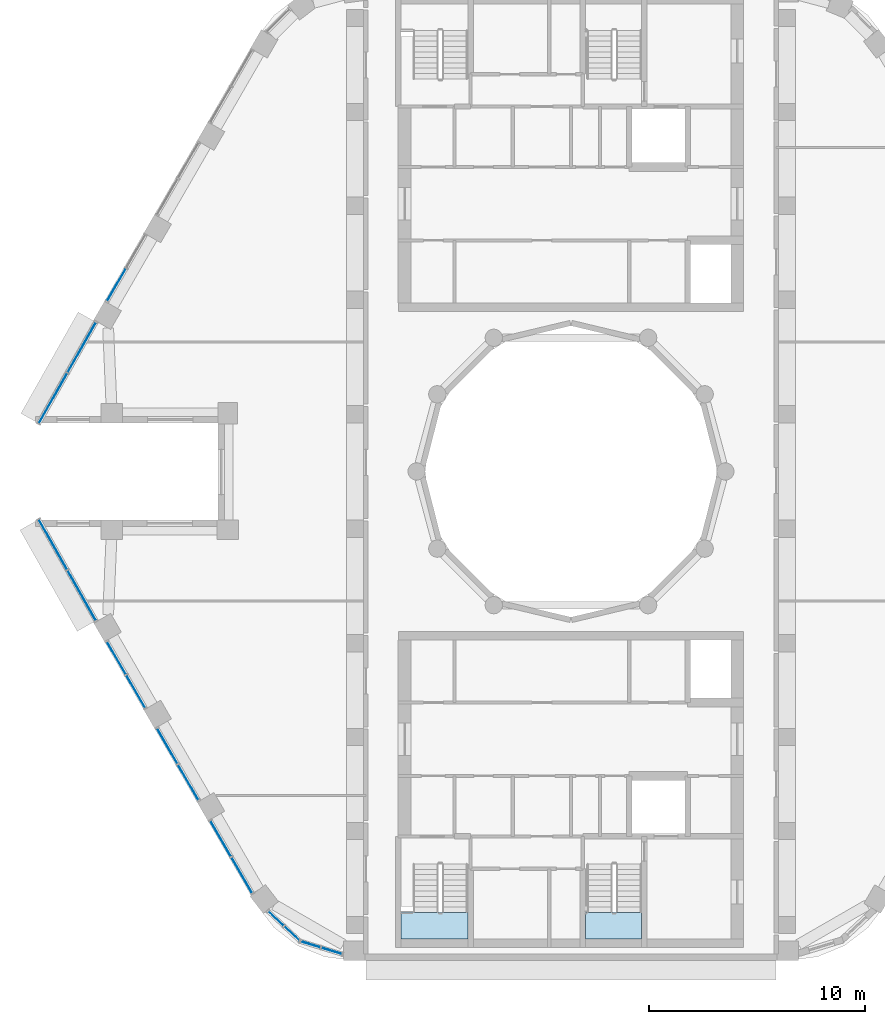
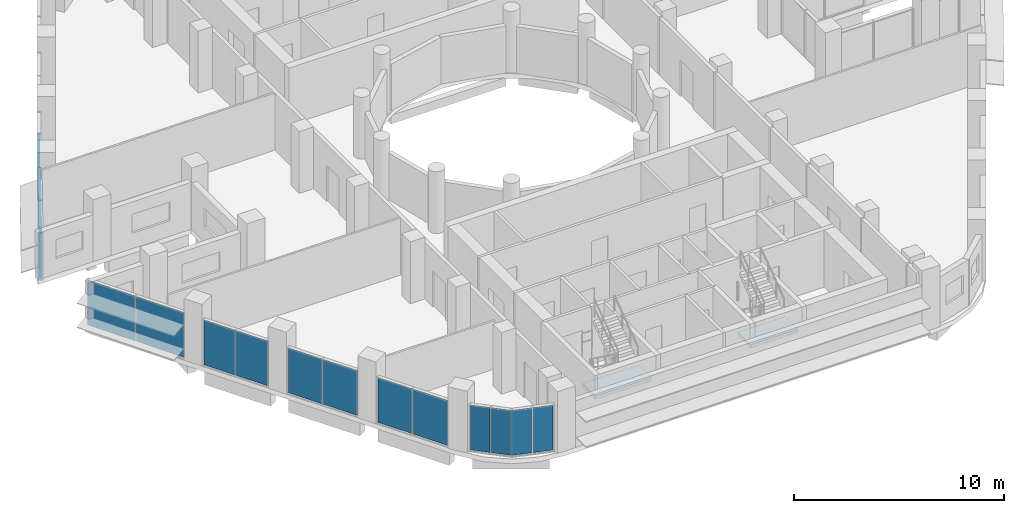
# One storey, part 8 of 16: 15 plates, 2 slabs, 10 elements without a shape of their own.
"""IFC4 building model written with IfcOpenShell, lengths in metres."""

from ifc_helpers import new_model, si_unit, direction, frame, origin, origin_2d, place, context, subcontext, project, spatial, polyline, rectangle, outline, extrude, material, layer, layer_set, type_object, element, aggregate, save


model = new_model("IFC4")

# Units and contexts
model_context = context("Model", 3, precision=1e-05, world=origin(), true_north=direction((0.0, 1.0)))
body_context = subcontext(model_context, "Body", "Model", "MODEL_VIEW")
ifc_project = project(units=[si_unit("LENGTHUNIT", "METRE"), si_unit("AREAUNIT", "SQUARE_METRE"), si_unit("VOLUMEUNIT", "CUBIC_METRE"), si_unit("PLANEANGLEUNIT", "RADIAN"), si_unit("MASSUNIT", "GRAM", prefix="KILO")], contexts=[model_context])

# Site, building, storey
site_placement = place(None, origin())
site = spatial("IfcSite", under=ifc_project, at=site_placement, CompositionType="ELEMENT")
building_placement = place(site_placement, origin())
building = spatial("IfcBuilding", under=site, at=building_placement, Name="Nakaniwa Court", CompositionType="ELEMENT")
storey_placement = place(building_placement, frame((0.0, 0.0, 272.39990234375)))
storey = spatial("IfcBuildingStorey", under=building, at=storey_placement, Name="C01", CompositionType="ELEMENT", Elevation=272.39990234375)

# Curtain wall, plate
ifc_material_1 = material(Name="Black anodised aluminium frame with dark low-E laminated double glazing", Category="aluminium")
ifc_layer_1 = layer(ifc_material_1, 0.199951171875)
ifc_layer_set_1 = layer_set([ifc_layer_1], Name="Black anodised aluminium frame with dark low-E laminated double glazing")
curtain_wall_type = type_object("IfcCurtainWallType", Name="Crown curtain wall", PredefinedType="NOTDEFINED", material=ifc_layer_set_1)
curtain_wall_1_placement = place(storey_placement, origin())
curtain_wall_1 = element("IfcCurtainWall", 1, at=curtain_wall_1_placement, inside=storey, type_object=curtain_wall_type, Name="C01 curtain wall CW4 13", PredefinedType="NOTDEFINED")
ifc_material_2 = material(Name="Dark toughened glass", Category="glass")
ifc_layer_2 = layer(ifc_material_2, 0.007, Name="Outer pane")
ifc_material_3 = material(Name="Argon filled cavity")
ifc_layer_3 = layer(ifc_material_3, 0.016, Name="Cavity")
ifc_material_4 = material(Name="Dark laminated safety glass", Category="glass")
ifc_layer_4 = layer(ifc_material_4, 0.007, Name="Inner pane")
ifc_layer_set_2 = layer_set([ifc_layer_2, ifc_layer_3, ifc_layer_4], Name="Dark low-E laminated double glazing")
plate_type = type_object("IfcPlateType", Name="Crown curtain wall glass panel", PredefinedType="CURTAIN_PANEL", material=ifc_layer_set_2)
plate_1_placement = place(storey_placement, frame((58.949951171875, 88.640380859375, 0.05517578125), z_axis=(0.0, 0.0, 1.0), x_axis=(-0.49998749164, -0.866032625369, 0.0)))
plate_1 = element("IfcPlate", 2, at=plate_1_placement, type_object=plate_type, Name="CW4 panel 2.1", PredefinedType="CURTAIN_PANEL", context=body_context, shape_type="SweptSolid", body=[
    extrude(rectangle(XDim=1.72607421875, YDim=0.030029296875, at=origin_2d()), origin(), (0.0, 0.0, 1.0), 2.614990234375),
])
aggregate(curtain_wall_1, [plate_1])

# Curtain wall, plates
curtain_wall_2_placement = place(storey_placement, origin())
curtain_wall_2 = element("IfcCurtainWall", 3, at=curtain_wall_2_placement, inside=storey, type_object=curtain_wall_type, Name="C01 curtain wall CW4 14", PredefinedType="NOTDEFINED")
plate_2_placement = place(storey_placement, frame((57.3466796875, 85.74609375, 0.05517578125), z_axis=(0.0, 0.0, 1.0), x_axis=(-0.492176765953, -0.870495279169, 0.0)))
plate_2 = element("IfcPlate", 4, at=plate_2_placement, type_object=plate_type, Name="CW4 panel 1.1", PredefinedType="CURTAIN_PANEL", context=body_context, shape_type="SweptSolid", body=[
    extrude(rectangle(XDim=2.645751953125, YDim=0.030029296875, at=origin_2d()), origin(), (0.0, 0.0, 1.0), 2.614990234375),
])
plate_3_placement = place(storey_placement, frame((56.012451171875, 83.38623046875, 0.05517578125), z_axis=(0.0, 0.0, 1.0), x_axis=(-0.492176765953, -0.870495279169, 0.0)))
plate_3 = element("IfcPlate", 5, at=plate_3_placement, type_object=plate_type, Name="CW4 panel 2.1", PredefinedType="CURTAIN_PANEL", context=body_context, shape_type="SweptSolid", body=[
    extrude(rectangle(XDim=2.645751953125, YDim=0.030029296875, at=origin_2d()), origin(), (0.0, 0.0, 1.0), 2.614990234375),
])
aggregate(curtain_wall_2, [plate_2, plate_3])

curtain_wall_3_placement = place(storey_placement, origin())
curtain_wall_3 = element("IfcCurtainWall", 6, at=curtain_wall_3_placement, inside=storey, type_object=curtain_wall_type, Name="C01 curtain wall CW4 20", PredefinedType="NOTDEFINED")
plate_4_placement = place(storey_placement, frame((56.012451171875, 76.61376953125, 0.05517578125), z_axis=(0.0, 0.0, 1.0), x_axis=(0.492176765953, -0.870495279169, 0.0)))
plate_4 = element("IfcPlate", 7, at=plate_4_placement, type_object=plate_type, Name="CW4 panel 1.1", PredefinedType="CURTAIN_PANEL", context=body_context, shape_type="SweptSolid", body=[
    extrude(rectangle(XDim=2.645751953125, YDim=0.030029296875, at=origin_2d()), origin(), (0.0, 0.0, 1.0), 2.614990234375),
])
plate_5_placement = place(storey_placement, frame((57.3466796875, 74.25390625, 0.05517578125), z_axis=(0.0, 0.0, 1.0), x_axis=(0.492176765953, -0.870495279169, 0.0)))
plate_5 = element("IfcPlate", 8, at=plate_5_placement, type_object=plate_type, Name="CW4 panel 2.1", PredefinedType="CURTAIN_PANEL", context=body_context, shape_type="SweptSolid", body=[
    extrude(rectangle(XDim=2.645751953125, YDim=0.030029296875, at=origin_2d()), origin(), (0.0, 0.0, 1.0), 2.614990234375),
])
aggregate(curtain_wall_3, [plate_4, plate_5])

curtain_wall_4_placement = place(storey_placement, origin())
curtain_wall_4 = element("IfcCurtainWall", 9, at=curtain_wall_4_placement, inside=storey, type_object=curtain_wall_type, Name="C01 curtain wall CW4 21", PredefinedType="NOTDEFINED")
plate_6_placement = place(storey_placement, frame((58.949951171875, 71.359619140625, 0.05517578125), z_axis=(0.0, 0.0, 1.0), x_axis=(0.49998749164, -0.866032625369, 0.0)))
plate_6 = element("IfcPlate", 10, at=plate_6_placement, type_object=plate_type, Name="CW4 panel 1.1", PredefinedType="CURTAIN_PANEL", context=body_context, shape_type="SweptSolid", body=[
    extrude(rectangle(XDim=1.72607421875, YDim=0.030029296875, at=origin_2d()), origin(), (0.0, 0.0, 1.0), 2.614990234375),
])
plate_7_placement = place(storey_placement, frame((59.845458984375, 69.80859375, 0.05517578125), z_axis=(0.0, 0.0, 1.0), x_axis=(0.49998749164, -0.866032625369, 0.0)))
plate_7 = element("IfcPlate", 11, at=plate_7_placement, type_object=plate_type, Name="CW4 panel 2.1", PredefinedType="CURTAIN_PANEL", context=body_context, shape_type="SweptSolid", body=[
    extrude(rectangle(XDim=1.72607421875, YDim=0.030029296875, at=origin_2d()), origin(), (0.0, 0.0, 1.0), 2.614990234375),
])
aggregate(curtain_wall_4, [plate_6, plate_7])

curtain_wall_5_placement = place(storey_placement, origin())
curtain_wall_5 = element("IfcCurtainWall", 12, at=curtain_wall_5_placement, inside=storey, type_object=curtain_wall_type, Name="C01 curtain wall CW4 22", PredefinedType="NOTDEFINED")
plate_8_placement = place(storey_placement, frame((61.306640625, 67.277587890625, 0.05517578125), z_axis=(0.0, 0.0, 1.0), x_axis=(0.500016533491, -0.866015857958, 0.0)))
plate_8 = element("IfcPlate", 13, at=plate_8_placement, type_object=plate_type, Name="CW4 panel 1.1", PredefinedType="CURTAIN_PANEL", context=body_context, shape_type="SweptSolid", body=[
    extrude(rectangle(XDim=1.874755859375, YDim=0.030029296875, at=origin_2d()), origin(), (0.0, 0.0, 1.0), 2.614990234375),
])
plate_9_placement = place(storey_placement, frame((62.276611328125, 65.597900390625, 0.05517578125), z_axis=(0.0, 0.0, 1.0), x_axis=(0.500016533491, -0.866015857958, 0.0)))
plate_9 = element("IfcPlate", 14, at=plate_9_placement, type_object=plate_type, Name="CW4 panel 2.1", PredefinedType="CURTAIN_PANEL", context=body_context, shape_type="SweptSolid", body=[
    extrude(rectangle(XDim=1.874755859375, YDim=0.030029296875, at=origin_2d()), origin(), (0.0, 0.0, 1.0), 2.614990234375),
])
aggregate(curtain_wall_5, [plate_8, plate_9])

curtain_wall_6_placement = place(storey_placement, origin())
curtain_wall_6 = element("IfcCurtainWall", 15, at=curtain_wall_6_placement, inside=storey, type_object=curtain_wall_type, Name="C01 curtain wall CW4 23", PredefinedType="NOTDEFINED")
plate_10_placement = place(storey_placement, frame((63.779296875, 62.995361328125, 0.05517578125), z_axis=(0.0, 0.0, 1.0), x_axis=(0.499995809815, -0.866027822975, 0.0)))
plate_10 = element("IfcPlate", 16, at=plate_10_placement, type_object=plate_type, Name="CW4 panel 1.1", PredefinedType="CURTAIN_PANEL", context=body_context, shape_type="SweptSolid", body=[
    extrude(rectangle(XDim=1.892333984375, YDim=0.030029296875, at=origin_2d()), origin(), (0.0, 0.0, 1.0), 2.614990234375),
])
plate_11_placement = place(storey_placement, frame((64.7578125, 61.30029296875, 0.05517578125), z_axis=(0.0, 0.0, 1.0), x_axis=(0.499995809815, -0.866027822975, 0.0)))
plate_11 = element("IfcPlate", 17, at=plate_11_placement, type_object=plate_type, Name="CW4 panel 2.1", PredefinedType="CURTAIN_PANEL", context=body_context, shape_type="SweptSolid", body=[
    extrude(rectangle(XDim=1.892333984375, YDim=0.030029296875, at=origin_2d()), origin(), (0.0, 0.0, 1.0), 2.614990234375),
])
aggregate(curtain_wall_6, [plate_10, plate_11])

curtain_wall_7_placement = place(storey_placement, origin())
curtain_wall_7 = element("IfcCurtainWall", 18, at=curtain_wall_7_placement, inside=storey, type_object=curtain_wall_type, Name="C01 curtain wall CW4 24", PredefinedType="NOTDEFINED")
plate_12_placement = place(storey_placement, frame((66.3349609375, 59.296875, 0.05517578125), z_axis=(0.0, 0.0, 1.0), x_axis=(0.729311166562, -0.684182155809, 0.0)))
plate_12 = element("IfcPlate", 19, at=plate_12_placement, type_object=plate_type, Name="CW4 panel 1.1", PredefinedType="CURTAIN_PANEL", context=body_context, shape_type="SweptSolid", body=[
    extrude(rectangle(XDim=0.965087890625, YDim=0.030029296875, at=origin_2d()), origin(), (0.0, 0.0, 1.0), 2.614990234375),
])
plate_13_placement = place(storey_placement, frame((67.086181640625, 58.592041015625, 0.05517578125), z_axis=(0.0, 0.0, 1.0), x_axis=(0.729311166562, -0.684182155809, 0.0)))
plate_13 = element("IfcPlate", 20, at=plate_13_placement, type_object=plate_type, Name="CW4 panel 2.1", PredefinedType="CURTAIN_PANEL", context=body_context, shape_type="SweptSolid", body=[
    extrude(rectangle(XDim=0.965087890625, YDim=0.030029296875, at=origin_2d()), origin(), (0.0, 0.0, 1.0), 2.614990234375),
])
aggregate(curtain_wall_7, [plate_12, plate_13])

curtain_wall_8_placement = place(storey_placement, origin())
curtain_wall_8 = element("IfcCurtainWall", 21, at=curtain_wall_8_placement, inside=storey, type_object=curtain_wall_type, Name="C01 curtain wall CW4 25", PredefinedType="NOTDEFINED")
plate_14_placement = place(storey_placement, frame((67.920654296875, 58.10302734375, 0.05517578125), z_axis=(0.0, 0.0, 1.0), x_axis=(0.955957155976, -0.293506245143, 0.0)))
plate_14 = element("IfcPlate", 22, at=plate_14_placement, type_object=plate_type, Name="CW4 panel 1.1", PredefinedType="CURTAIN_PANEL", context=body_context, shape_type="SweptSolid", body=[
    extrude(rectangle(XDim=0.9755859375, YDim=0.030029296875, at=origin_2d()), origin(), (0.0, 0.0, 1.0), 2.614990234375),
])
plate_15_placement = place(storey_placement, frame((68.915283203125, 57.797607421875, 0.05517578125), z_axis=(0.0, 0.0, 1.0), x_axis=(0.955957155976, -0.293506245143, 0.0)))
plate_15 = element("IfcPlate", 23, at=plate_15_placement, type_object=plate_type, Name="CW4 panel 2.1", PredefinedType="CURTAIN_PANEL", context=body_context, shape_type="SweptSolid", body=[
    extrude(rectangle(XDim=0.9755859375, YDim=0.030029296875, at=origin_2d()), origin(), (0.0, 0.0, 1.0), 2.614990234375),
])
aggregate(curtain_wall_8, [plate_14, plate_15])

# Stair, slab
ifc_material_5 = material(Name="Concrete C80/100", Category="concrete")
stair_type = type_object("IfcStairType", Name="Dog leg stair 1200 wide 20 risers", PredefinedType="HALF_TURN_STAIR", material=ifc_material_5)
stair_1_placement = place(storey_placement, origin())
stair_1 = element("IfcStair", 24, at=stair_1_placement, inside=storey, type_object=stair_type, Name="C01 Stair ST3", PredefinedType="HALF_TURN_STAIR")
ifc_layer_5 = layer(ifc_material_5, 0.199951171875)
ifc_layer_set_3 = layer_set([ifc_layer_5], Name="Concrete C80/100")
slab_type = type_object("IfcSlabType", Name="Stair landing concrete", PredefinedType="LANDING", material=ifc_layer_set_3)
slab_1_placement = place(storey_placement, frame((0.0, 0.0, 1.60009765625)))
slab_1 = element("IfcSlab", 25, at=slab_1_placement, type_object=slab_type, Name="ST3 landing 1", PredefinedType="LANDING", context=body_context, shape_type="SweptSolid", body=[
    extrude(outline(polyline([(75.22509765625, 58.35009765625), (75.22509765625, 59.574951171875), (72.125, 59.574951171875), (72.125, 58.35009765625), (75.22509765625, 58.35009765625)])), origin(), (0.0, 0.0, 1.0), 0.199951171875),
])
aggregate(stair_1, [slab_1])

stair_2_placement = place(storey_placement, origin())
stair_2 = element("IfcStair", 26, at=stair_2_placement, inside=storey, type_object=stair_type, Name="C01 Stair ST4", PredefinedType="HALF_TURN_STAIR")
slab_2_placement = place(storey_placement, frame((0.0, 0.0, 1.60009765625)))
slab_2 = element("IfcSlab", 27, at=slab_2_placement, type_object=slab_type, Name="ST4 landing 1", PredefinedType="LANDING", context=body_context, shape_type="SweptSolid", body=[
    extrude(outline(polyline([(83.27490234375, 58.35009765625), (83.27490234375, 59.574951171875), (80.675048828125, 59.574951171875), (80.675048828125, 58.35009765625), (83.27490234375, 58.35009765625)])), origin(), (0.0, 0.0, 1.0), 0.199951171875),
])
aggregate(stair_2, [slab_2])

save(model, "model.ifc")
